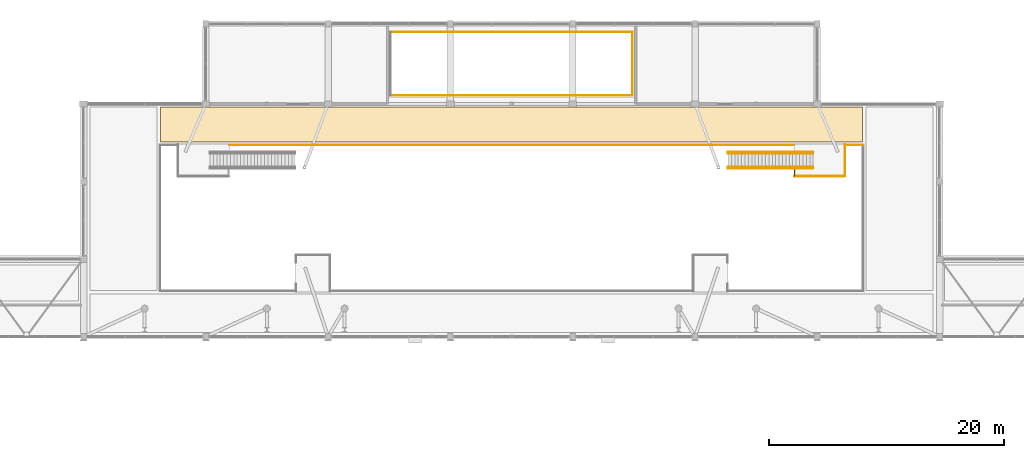
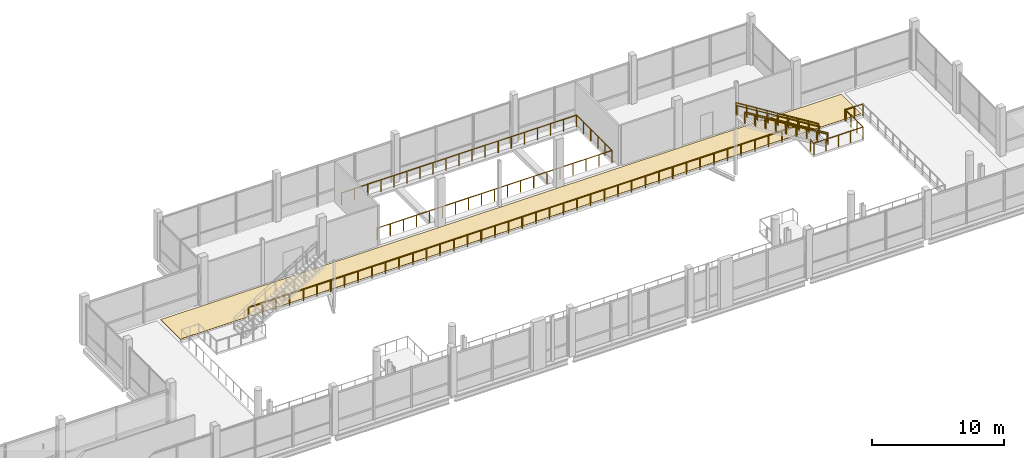
# One storey, part 91 of 95: 12 railings, 1 covering.
"""IFC4 building model written with IfcOpenShell, lengths in metres."""

from ifc_helpers import new_model, si_unit, derived_unit, direction, frame, origin, origin_2d, place, context, subcontext, project, spatial, polyline, circle, outline, extrude, material, layer, layer_set, type_object, element, save


model = new_model("IFC4")

# Units and contexts
model_context = context("Model", 3, precision=1e-05, world=origin(), true_north=direction((0.0, 1.0)))
body_context = subcontext(model_context, "Body", "Model", "MODEL_VIEW")
ifc_project = project(units=[si_unit("LENGTHUNIT", "METRE"), si_unit("AREAUNIT", "SQUARE_METRE"), si_unit("VOLUMEUNIT", "CUBIC_METRE"), si_unit("PLANEANGLEUNIT", "RADIAN"), si_unit("MASSUNIT", "GRAM", prefix="KILO"), derived_unit("THERMALTRANSMITTANCEUNIT", [(si_unit("POWERUNIT", "WATT"), 1), (si_unit("LENGTHUNIT", "METRE"), -2), (si_unit("THERMODYNAMICTEMPERATUREUNIT", "KELVIN"), -1)])], contexts=[model_context])

# Site, building, storey
site_placement = place(None, origin())
site = spatial("IfcSite", under=ifc_project, at=site_placement, CompositionType="ELEMENT")
building_placement = place(site_placement, origin())
building = spatial("IfcBuilding", under=site, at=building_placement, Name="Braskholm Square Health Centre", CompositionType="ELEMENT")
storey_placement = place(building_placement, frame((0.0, 0.0, 4.800048828125)))
storey = spatial("IfcBuildingStorey", under=building, at=storey_placement, Name="L02", CompositionType="ELEMENT", Elevation=4.800048828125)

# Railings
ifc_material_1 = material(Name="Dark patinated chevron architectural bronze", Category="aluminium")
railing_type_1 = type_object("IfcRailingType", Name="BronzeChevronGuardrail1100", PredefinedType="GUARDRAIL", material=ifc_material_1)
for number, where, name in (
    (1, (109.64990234375, 101.5, 0.0), "Stair ST-12 side guard L"),
    (2, (109.64990234375, 102.89990234375, 0.0), "Stair ST-12 side guard R"),
):
    element("IfcRailing", number, at=place(storey_placement, frame(where)), inside=storey, type_object=railing_type_1, Name=name, PredefinedType="GUARDRAIL", context=body_context, shape_type="SweptSolid", body=[
        extrude(circle(Radius=0.02392578125, at=origin_2d()), frame((0.0, 0.0, 1.076171875), z_axis=(-0.849640166198, 0.0, 0.527362861778), x_axis=(0.0, -1.0, 0.0)), (0.0, 0.0, 1.0), 8.532958984375),
        extrude(circle(Radius=0.02099609375, at=origin_2d()), origin(), (0.0, 0.0, 1.0), 1.052001953125),
        extrude(circle(Radius=0.02099609375, at=origin_2d()), frame((-0.90625, 0.0, 0.5625)), (0.0, 0.0, 1.0), 1.052001953125),
        extrude(circle(Radius=0.02099609375, at=origin_2d()), frame((-1.8125, 0.0, 1.125)), (0.0, 0.0, 1.0), 1.052001953125),
        extrude(circle(Radius=0.02099609375, at=origin_2d()), frame((-2.71875, 0.0, 1.6875)), (0.0, 0.0, 1.0), 1.052001953125),
        extrude(circle(Radius=0.02099609375, at=origin_2d()), frame((-3.625, 0.0, 2.25)), (0.0, 0.0, 1.0), 1.052001953125),
        extrude(circle(Radius=0.02099609375, at=origin_2d()), frame((-4.53125, 0.0, 2.8125)), (0.0, 0.0, 1.0), 1.052001953125),
        extrude(circle(Radius=0.02099609375, at=origin_2d()), frame((-5.4375, 0.0, 3.375)), (0.0, 0.0, 1.0), 1.052001953125),
        extrude(circle(Radius=0.02099609375, at=origin_2d()), frame((-6.34375, 0.0, 3.9375)), (0.0, 0.0, 1.0), 1.052001953125),
        extrude(circle(Radius=0.02099609375, at=origin_2d()), frame((-7.25, 0.0, 4.5)), (0.0, 0.0, 1.0), 1.052001953125),
    ])
railing_1_placement = place(storey_placement, frame((73.699951171875, 107.699951171875, 0.0)))
element("IfcRailing", 3, at=railing_1_placement, inside=storey, type_object=railing_type_1, Name="Bronze chevron guardrail 0013 L02", PredefinedType="GUARDRAIL", context=body_context, shape_type="SweptSolid", body=[
    extrude(circle(Radius=0.02392578125, at=origin_2d()), frame((0.0, 0.0, 1.076171875), z_axis=(1.0, 0.0, 0.0), x_axis=(0.0, 1.0, 0.0)), (0.0, 0.0, 1.0), 20.60009765625),
    extrude(circle(Radius=0.02099609375, at=origin_2d()), origin(), (0.0, 0.0, 1.0), 1.052001953125),
    extrude(circle(Radius=0.02099609375, at=origin_2d()), frame((1.14453125, 0.0, 0.0)), (0.0, 0.0, 1.0), 1.052001953125),
    extrude(circle(Radius=0.02099609375, at=origin_2d()), frame((2.288818359375, 0.0, 0.0)), (0.0, 0.0, 1.0), 1.052001953125),
    extrude(circle(Radius=0.02099609375, at=origin_2d()), frame((3.433349609375, 0.0, 0.0)), (0.0, 0.0, 1.0), 1.052001953125),
    extrude(circle(Radius=0.02099609375, at=origin_2d()), frame((4.577880859375, 0.0, 0.0)), (0.0, 0.0, 1.0), 1.052001953125),
    extrude(circle(Radius=0.02099609375, at=origin_2d()), frame((5.72216796875, 0.0, 0.0)), (0.0, 0.0, 1.0), 1.052001953125),
    extrude(circle(Radius=0.02099609375, at=origin_2d()), frame((6.86669921875, 0.0, 0.0)), (0.0, 0.0, 1.0), 1.052001953125),
    extrude(circle(Radius=0.02099609375, at=origin_2d()), frame((8.01123046875, 0.0, 0.0)), (0.0, 0.0, 1.0), 1.052001953125),
    extrude(circle(Radius=0.02099609375, at=origin_2d()), frame((9.155517578125, 0.0, 0.0)), (0.0, 0.0, 1.0), 1.052001953125),
    extrude(circle(Radius=0.02099609375, at=origin_2d()), frame((10.300048828125, 0.0, 0.0)), (0.0, 0.0, 1.0), 1.052001953125),
    extrude(circle(Radius=0.02099609375, at=origin_2d()), frame((11.444580078125, 0.0, 0.0)), (0.0, 0.0, 1.0), 1.052001953125),
    extrude(circle(Radius=0.02099609375, at=origin_2d()), frame((12.5888671875, 0.0, 0.0)), (0.0, 0.0, 1.0), 1.052001953125),
    extrude(circle(Radius=0.02099609375, at=origin_2d()), frame((13.7333984375, 0.0, 0.0)), (0.0, 0.0, 1.0), 1.052001953125),
    extrude(circle(Radius=0.02099609375, at=origin_2d()), frame((14.8779296875, 0.0, 0.0)), (0.0, 0.0, 1.0), 1.052001953125),
    extrude(circle(Radius=0.02099609375, at=origin_2d()), frame((16.022216796875, 0.0, 0.0)), (0.0, 0.0, 1.0), 1.052001953125),
    extrude(circle(Radius=0.02099609375, at=origin_2d()), frame((17.166748046875, 0.0, 0.0)), (0.0, 0.0, 1.0), 1.052001953125),
    extrude(circle(Radius=0.02099609375, at=origin_2d()), frame((18.311279296875, 0.0, 0.0)), (0.0, 0.0, 1.0), 1.052001953125),
    extrude(circle(Radius=0.02099609375, at=origin_2d()), frame((19.45556640625, 0.0, 0.0)), (0.0, 0.0, 1.0), 1.052001953125),
    extrude(circle(Radius=0.02099609375, at=origin_2d()), frame((20.60009765625, 0.0, 0.0)), (0.0, 0.0, 1.0), 1.052001953125),
])
railing_2_placement = place(storey_placement, frame((94.300048828125, 107.699951171875, 0.0)))
element("IfcRailing", 4, at=railing_2_placement, inside=storey, type_object=railing_type_1, Name="Bronze chevron guardrail 0014 L02", PredefinedType="GUARDRAIL", context=body_context, shape_type="SweptSolid", body=[
    extrude(circle(Radius=0.02392578125, at=origin_2d()), frame((0.0, 0.0, 1.076171875), z_axis=(0.0, 1.0, 0.0), x_axis=(-1.0, 0.0, 0.0)), (0.0, 0.0, 1.0), 5.400146484375),
    extrude(circle(Radius=0.02099609375, at=origin_2d()), origin(), (0.0, 0.0, 1.0), 1.052001953125),
    extrude(circle(Radius=0.02099609375, at=origin_2d()), frame((0.0, 1.080078125, 0.0)), (0.0, 0.0, 1.0), 1.052001953125),
    extrude(circle(Radius=0.02099609375, at=origin_2d()), frame((0.0, 2.16015625, 0.0)), (0.0, 0.0, 1.0), 1.052001953125),
    extrude(circle(Radius=0.02099609375, at=origin_2d()), frame((0.0, 3.239990234375, 0.0)), (0.0, 0.0, 1.0), 1.052001953125),
    extrude(circle(Radius=0.02099609375, at=origin_2d()), frame((0.0, 4.320068359375, 0.0)), (0.0, 0.0, 1.0), 1.052001953125),
    extrude(circle(Radius=0.02099609375, at=origin_2d()), frame((0.0, 5.400146484375, 0.0)), (0.0, 0.0, 1.0), 1.052001953125),
])
railing_3_placement = place(storey_placement, frame((94.300048828125, 113.10009765625, 0.0)))
element("IfcRailing", 5, at=railing_3_placement, inside=storey, type_object=railing_type_1, Name="Bronze chevron guardrail 0015 L02", PredefinedType="GUARDRAIL", context=body_context, shape_type="SweptSolid", body=[
    extrude(circle(Radius=0.02392578125, at=origin_2d()), frame((0.0, 0.0, 1.076171875), z_axis=(-1.0, 0.0, 0.0), x_axis=(0.0, -1.0, 0.0)), (0.0, 0.0, 1.0), 20.60009765625),
    extrude(circle(Radius=0.02099609375, at=origin_2d()), origin(), (0.0, 0.0, 1.0), 1.052001953125),
    extrude(circle(Radius=0.02099609375, at=origin_2d()), frame((-1.14453125, 0.0, 0.0)), (0.0, 0.0, 1.0), 1.052001953125),
    extrude(circle(Radius=0.02099609375, at=origin_2d()), frame((-2.288818359375, 0.0, 0.0)), (0.0, 0.0, 1.0), 1.052001953125),
    extrude(circle(Radius=0.02099609375, at=origin_2d()), frame((-3.433349609375, 0.0, 0.0)), (0.0, 0.0, 1.0), 1.052001953125),
    extrude(circle(Radius=0.02099609375, at=origin_2d()), frame((-4.577880859375, 0.0, 0.0)), (0.0, 0.0, 1.0), 1.052001953125),
    extrude(circle(Radius=0.02099609375, at=origin_2d()), frame((-5.72216796875, 0.0, 0.0)), (0.0, 0.0, 1.0), 1.052001953125),
    extrude(circle(Radius=0.02099609375, at=origin_2d()), frame((-6.86669921875, 0.0, 0.0)), (0.0, 0.0, 1.0), 1.052001953125),
    extrude(circle(Radius=0.02099609375, at=origin_2d()), frame((-8.01123046875, 0.0, 0.0)), (0.0, 0.0, 1.0), 1.052001953125),
    extrude(circle(Radius=0.02099609375, at=origin_2d()), frame((-9.155517578125, 0.0, 0.0)), (0.0, 0.0, 1.0), 1.052001953125),
    extrude(circle(Radius=0.02099609375, at=origin_2d()), frame((-10.300048828125, 0.0, 0.0)), (0.0, 0.0, 1.0), 1.052001953125),
    extrude(circle(Radius=0.02099609375, at=origin_2d()), frame((-11.444580078125, 0.0, 0.0)), (0.0, 0.0, 1.0), 1.052001953125),
    extrude(circle(Radius=0.02099609375, at=origin_2d()), frame((-12.5888671875, 0.0, 0.0)), (0.0, 0.0, 1.0), 1.052001953125),
    extrude(circle(Radius=0.02099609375, at=origin_2d()), frame((-13.7333984375, 0.0, 0.0)), (0.0, 0.0, 1.0), 1.052001953125),
    extrude(circle(Radius=0.02099609375, at=origin_2d()), frame((-14.8779296875, 0.0, 0.0)), (0.0, 0.0, 1.0), 1.052001953125),
    extrude(circle(Radius=0.02099609375, at=origin_2d()), frame((-16.022216796875, 0.0, 0.0)), (0.0, 0.0, 1.0), 1.052001953125),
    extrude(circle(Radius=0.02099609375, at=origin_2d()), frame((-17.166748046875, 0.0, 0.0)), (0.0, 0.0, 1.0), 1.052001953125),
    extrude(circle(Radius=0.02099609375, at=origin_2d()), frame((-18.311279296875, 0.0, 0.0)), (0.0, 0.0, 1.0), 1.052001953125),
    extrude(circle(Radius=0.02099609375, at=origin_2d()), frame((-19.45556640625, 0.0, 0.0)), (0.0, 0.0, 1.0), 1.052001953125),
    extrude(circle(Radius=0.02099609375, at=origin_2d()), frame((-20.60009765625, 0.0, 0.0)), (0.0, 0.0, 1.0), 1.052001953125),
])
railing_4_placement = place(storey_placement, frame((112.35009765625, 103.550048828125, 0.0)))
element("IfcRailing", 6, at=railing_4_placement, inside=storey, type_object=railing_type_1, Name="Bronze chevron guardrail 0020 L02", PredefinedType="GUARDRAIL", context=body_context, shape_type="SweptSolid", body=[
    extrude(circle(Radius=0.02392578125, at=origin_2d()), frame((0.0, 0.0, 1.076171875), z_axis=(0.0, -1.0, 0.0), x_axis=(1.0, 0.0, 0.0)), (0.0, 0.0, 1.0), 2.699951171875),
    extrude(circle(Radius=0.02099609375, at=origin_2d()), origin(), (0.0, 0.0, 1.0), 1.052001953125),
    extrude(circle(Radius=0.02099609375, at=origin_2d()), frame((0.0, -0.89990234375, 0.0)), (0.0, 0.0, 1.0), 1.052001953125),
    extrude(circle(Radius=0.02099609375, at=origin_2d()), frame((0.0, -1.800048828125, 0.0)), (0.0, 0.0, 1.0), 1.052001953125),
    extrude(circle(Radius=0.02099609375, at=origin_2d()), frame((0.0, -2.699951171875, 0.0)), (0.0, 0.0, 1.0), 1.052001953125),
])
railing_5_placement = place(storey_placement, frame((112.35009765625, 100.85009765625, 0.0)))
element("IfcRailing", 7, at=railing_5_placement, inside=storey, type_object=railing_type_1, Name="Bronze chevron guardrail 0021 L02", PredefinedType="GUARDRAIL", context=body_context, shape_type="SweptSolid", body=[
    extrude(circle(Radius=0.02392578125, at=origin_2d()), frame((0.0, 0.0, 1.076171875), z_axis=(-1.0, 0.0, 0.0), x_axis=(0.0, -1.0, 0.0)), (0.0, 0.0, 1.0), 4.300048828125),
    extrude(circle(Radius=0.02099609375, at=origin_2d()), origin(), (0.0, 0.0, 1.0), 1.052001953125),
    extrude(circle(Radius=0.02099609375, at=origin_2d()), frame((-1.074951171875, 0.0, 0.0)), (0.0, 0.0, 1.0), 1.052001953125),
    extrude(circle(Radius=0.02099609375, at=origin_2d()), frame((-2.14990234375, 0.0, 0.0)), (0.0, 0.0, 1.0), 1.052001953125),
    extrude(circle(Radius=0.02099609375, at=origin_2d()), frame((-3.22509765625, 0.0, 0.0)), (0.0, 0.0, 1.0), 1.052001953125),
    extrude(circle(Radius=0.02099609375, at=origin_2d()), frame((-4.300048828125, 0.0, 0.0)), (0.0, 0.0, 1.0), 1.052001953125),
])
railing_6_placement = place(storey_placement, frame((108.050048828125, 100.85009765625, 0.0)))
element("IfcRailing", 8, at=railing_6_placement, inside=storey, type_object=railing_type_1, Name="Bronze chevron guardrail 0022 L02", PredefinedType="GUARDRAIL", context=body_context, shape_type="SweptSolid", body=[
    extrude(circle(Radius=0.02392578125, at=origin_2d()), frame((0.0, 0.0, 1.076171875), z_axis=(0.0, 1.0, 0.0), x_axis=(-1.0, 0.0, 0.0)), (0.0, 0.0, 1.0), 0.5498046875),
    extrude(circle(Radius=0.02099609375, at=origin_2d()), origin(), (0.0, 0.0, 1.0), 1.052001953125),
    extrude(circle(Radius=0.02099609375, at=origin_2d()), frame((0.0, 0.5498046875, 0.0)), (0.0, 0.0, 1.0), 1.052001953125),
])
railing_7_placement = place(storey_placement, frame((113.89990234375, 103.5, 0.0)))
element("IfcRailing", 9, at=railing_7_placement, inside=storey, type_object=railing_type_1, Name="Bronze chevron guardrail 0057 L02", PredefinedType="GUARDRAIL", context=body_context, shape_type="SweptSolid", body=[
    extrude(circle(Radius=0.02392578125, at=origin_2d()), frame((0.0, 0.0, 1.076171875), z_axis=(-1.0, 0.0, 0.0), x_axis=(0.0, -1.0, 0.0)), (0.0, 0.0, 1.0), 1.5),
    extrude(circle(Radius=0.02099609375, at=origin_2d()), origin(), (0.0, 0.0, 1.0), 1.052001953125),
    extrude(circle(Radius=0.02099609375, at=origin_2d()), frame((-0.75, 0.0, 0.0)), (0.0, 0.0, 1.0), 1.052001953125),
    extrude(circle(Radius=0.02099609375, at=origin_2d()), frame((-1.5, 0.0, 0.0)), (0.0, 0.0, 1.0), 1.052001953125),
])
railing_8_placement = place(storey_placement, frame((108.0, 103.5, 0.0)))
element("IfcRailing", 10, at=railing_8_placement, inside=storey, type_object=railing_type_1, Name="Bronze chevron guardrail 0058 L02", PredefinedType="GUARDRAIL", context=body_context, shape_type="SweptSolid", body=[
    extrude(circle(Radius=0.02392578125, at=origin_2d()), frame((0.0, 0.0, 1.076171875), z_axis=(-1.0, 0.0, 0.0), x_axis=(0.0, -1.0, 0.0)), (0.0, 0.0, 1.0), 48.0),
    extrude(circle(Radius=0.02099609375, at=origin_2d()), origin(), (0.0, 0.0, 1.0), 1.052001953125),
    extrude(circle(Radius=0.02099609375, at=origin_2d()), frame((-1.199951171875, 0.0, 0.0)), (0.0, 0.0, 1.0), 1.052001953125),
    extrude(circle(Radius=0.02099609375, at=origin_2d()), frame((-2.39990234375, 0.0, 0.0)), (0.0, 0.0, 1.0), 1.052001953125),
    extrude(circle(Radius=0.02099609375, at=origin_2d()), frame((-3.60009765625, 0.0, 0.0)), (0.0, 0.0, 1.0), 1.052001953125),
    extrude(circle(Radius=0.02099609375, at=origin_2d()), frame((-4.800048828125, 0.0, 0.0)), (0.0, 0.0, 1.0), 1.052001953125),
    extrude(circle(Radius=0.02099609375, at=origin_2d()), frame((-6.0, 0.0, 0.0)), (0.0, 0.0, 1.0), 1.052001953125),
    extrude(circle(Radius=0.02099609375, at=origin_2d()), frame((-7.199951171875, 0.0, 0.0)), (0.0, 0.0, 1.0), 1.052001953125),
    extrude(circle(Radius=0.02099609375, at=origin_2d()), frame((-8.39990234375, 0.0, 0.0)), (0.0, 0.0, 1.0), 1.052001953125),
    extrude(circle(Radius=0.02099609375, at=origin_2d()), frame((-9.60009765625, 0.0, 0.0)), (0.0, 0.0, 1.0), 1.052001953125),
    extrude(circle(Radius=0.02099609375, at=origin_2d()), frame((-10.800048828125, 0.0, 0.0)), (0.0, 0.0, 1.0), 1.052001953125),
    extrude(circle(Radius=0.02099609375, at=origin_2d()), frame((-12.0, 0.0, 0.0)), (0.0, 0.0, 1.0), 1.052001953125),
    extrude(circle(Radius=0.02099609375, at=origin_2d()), frame((-13.199951171875, 0.0, 0.0)), (0.0, 0.0, 1.0), 1.052001953125),
    extrude(circle(Radius=0.02099609375, at=origin_2d()), frame((-14.39990234375, 0.0, 0.0)), (0.0, 0.0, 1.0), 1.052001953125),
    extrude(circle(Radius=0.02099609375, at=origin_2d()), frame((-15.60009765625, 0.0, 0.0)), (0.0, 0.0, 1.0), 1.052001953125),
    extrude(circle(Radius=0.02099609375, at=origin_2d()), frame((-16.800048828125, 0.0, 0.0)), (0.0, 0.0, 1.0), 1.052001953125),
    extrude(circle(Radius=0.02099609375, at=origin_2d()), frame((-18.0, 0.0, 0.0)), (0.0, 0.0, 1.0), 1.052001953125),
    extrude(circle(Radius=0.02099609375, at=origin_2d()), frame((-19.199951171875, 0.0, 0.0)), (0.0, 0.0, 1.0), 1.052001953125),
    extrude(circle(Radius=0.02099609375, at=origin_2d()), frame((-20.39990234375, 0.0, 0.0)), (0.0, 0.0, 1.0), 1.052001953125),
    extrude(circle(Radius=0.02099609375, at=origin_2d()), frame((-21.60009765625, 0.0, 0.0)), (0.0, 0.0, 1.0), 1.052001953125),
    extrude(circle(Radius=0.02099609375, at=origin_2d()), frame((-22.800048828125, 0.0, 0.0)), (0.0, 0.0, 1.0), 1.052001953125),
    extrude(circle(Radius=0.02099609375, at=origin_2d()), frame((-24.0, 0.0, 0.0)), (0.0, 0.0, 1.0), 1.052001953125),
    extrude(circle(Radius=0.02099609375, at=origin_2d()), frame((-25.199951171875, 0.0, 0.0)), (0.0, 0.0, 1.0), 1.052001953125),
    extrude(circle(Radius=0.02099609375, at=origin_2d()), frame((-26.39990234375, 0.0, 0.0)), (0.0, 0.0, 1.0), 1.052001953125),
    extrude(circle(Radius=0.02099609375, at=origin_2d()), frame((-27.60009765625, 0.0, 0.0)), (0.0, 0.0, 1.0), 1.052001953125),
    extrude(circle(Radius=0.02099609375, at=origin_2d()), frame((-28.800048828125, 0.0, 0.0)), (0.0, 0.0, 1.0), 1.052001953125),
    extrude(circle(Radius=0.02099609375, at=origin_2d()), frame((-30.0, 0.0, 0.0)), (0.0, 0.0, 1.0), 1.052001953125),
    extrude(circle(Radius=0.02099609375, at=origin_2d()), frame((-31.199951171875, 0.0, 0.0)), (0.0, 0.0, 1.0), 1.052001953125),
    extrude(circle(Radius=0.02099609375, at=origin_2d()), frame((-32.39990234375, 0.0, 0.0)), (0.0, 0.0, 1.0), 1.052001953125),
    extrude(circle(Radius=0.02099609375, at=origin_2d()), frame((-33.60009765625, 0.0, 0.0)), (0.0, 0.0, 1.0), 1.052001953125),
    extrude(circle(Radius=0.02099609375, at=origin_2d()), frame((-34.800048828125, 0.0, 0.0)), (0.0, 0.0, 1.0), 1.052001953125),
    extrude(circle(Radius=0.02099609375, at=origin_2d()), frame((-36.0, 0.0, 0.0)), (0.0, 0.0, 1.0), 1.052001953125),
    extrude(circle(Radius=0.02099609375, at=origin_2d()), frame((-37.199951171875, 0.0, 0.0)), (0.0, 0.0, 1.0), 1.052001953125),
    extrude(circle(Radius=0.02099609375, at=origin_2d()), frame((-38.39990234375, 0.0, 0.0)), (0.0, 0.0, 1.0), 1.052001953125),
    extrude(circle(Radius=0.02099609375, at=origin_2d()), frame((-39.60009765625, 0.0, 0.0)), (0.0, 0.0, 1.0), 1.052001953125),
    extrude(circle(Radius=0.02099609375, at=origin_2d()), frame((-40.800048828125, 0.0, 0.0)), (0.0, 0.0, 1.0), 1.052001953125),
    extrude(circle(Radius=0.02099609375, at=origin_2d()), frame((-42.0, 0.0, 0.0)), (0.0, 0.0, 1.0), 1.052001953125),
    extrude(circle(Radius=0.02099609375, at=origin_2d()), frame((-43.199951171875, 0.0, 0.0)), (0.0, 0.0, 1.0), 1.052001953125),
    extrude(circle(Radius=0.02099609375, at=origin_2d()), frame((-44.39990234375, 0.0, 0.0)), (0.0, 0.0, 1.0), 1.052001953125),
    extrude(circle(Radius=0.02099609375, at=origin_2d()), frame((-45.60009765625, 0.0, 0.0)), (0.0, 0.0, 1.0), 1.052001953125),
    extrude(circle(Radius=0.02099609375, at=origin_2d()), frame((-46.800048828125, 0.0, 0.0)), (0.0, 0.0, 1.0), 1.052001953125),
    extrude(circle(Radius=0.02099609375, at=origin_2d()), frame((-48.0, 0.0, 0.0)), (0.0, 0.0, 1.0), 1.052001953125),
])

# Covering
ifc_material_2 = material(Name="Polished geometric terrazzo flooring", Category="masonry")
ifc_layer = layer(ifc_material_2, 0.02001953125)
ifc_layer_set = layer_set([ifc_layer], Name="Polished geometric terrazzo flooring")
covering_type = type_object("IfcCoveringType", Name="PolishedTerrazzoFloorFinish", PredefinedType="FLOORING", material=ifc_layer_set)
covering_placement = place(storey_placement, origin())
element("IfcCovering", 11, at=covering_placement, inside=storey, type_object=covering_type, Name="Polished terrazzo floor L02-300", PredefinedType="FLOORING", context=body_context, shape_type="SweptSolid", body=[
    extrude(outline(polyline([(54.14990234375, 103.75), (113.85009765625, 103.75), (113.85009765625, 106.75), (54.14990234375, 106.75), (54.14990234375, 103.75)])), origin(), (0.0, 0.0, 1.0), 0.02001953125),
])

# Railings
railing_type_2 = type_object("IfcRailingType", Name="StairTubularHandrail915", PredefinedType="HANDRAIL", material=ifc_material_1)
for number, where, name in (
    (12, (109.64990234375, 101.6259765625, 0.0), "Stair ST-12 tubular handrail L"),
    (13, (109.64990234375, 102.77392578125, 0.0), "Stair ST-12 tubular handrail R"),
):
    element("IfcRailing", number, at=place(storey_placement, frame(where)), inside=storey, type_object=railing_type_2, Name=name, PredefinedType="HANDRAIL", context=body_context, shape_type="SweptSolid", body=[
        extrude(circle(Radius=0.02392578125, at=origin_2d()), frame((0.0, 0.0, 0.89111328125), z_axis=(-0.849640166198, 0.0, 0.527362861778), x_axis=(0.0, -1.0, 0.0)), (0.0, 0.0, 1.0), 8.532958984375),
        extrude(circle(Radius=0.02099609375, at=origin_2d()), origin(), (0.0, 0.0, 1.0), 0.866943359375),
        extrude(circle(Radius=0.02099609375, at=origin_2d()), frame((-0.90625, 0.0, 0.5625)), (0.0, 0.0, 1.0), 0.866943359375),
        extrude(circle(Radius=0.02099609375, at=origin_2d()), frame((-1.8125, 0.0, 1.125)), (0.0, 0.0, 1.0), 0.866943359375),
        extrude(circle(Radius=0.02099609375, at=origin_2d()), frame((-2.71875, 0.0, 1.6875)), (0.0, 0.0, 1.0), 0.866943359375),
        extrude(circle(Radius=0.02099609375, at=origin_2d()), frame((-3.625, 0.0, 2.25)), (0.0, 0.0, 1.0), 0.866943359375),
        extrude(circle(Radius=0.02099609375, at=origin_2d()), frame((-4.53125, 0.0, 2.8125)), (0.0, 0.0, 1.0), 0.866943359375),
        extrude(circle(Radius=0.02099609375, at=origin_2d()), frame((-5.4375, 0.0, 3.375)), (0.0, 0.0, 1.0), 0.866943359375),
        extrude(circle(Radius=0.02099609375, at=origin_2d()), frame((-6.34375, 0.0, 3.9375)), (0.0, 0.0, 1.0), 0.866943359375),
        extrude(circle(Radius=0.02099609375, at=origin_2d()), frame((-7.25, 0.0, 4.5)), (0.0, 0.0, 1.0), 0.866943359375),
    ])

save(model, "model.ifc")
